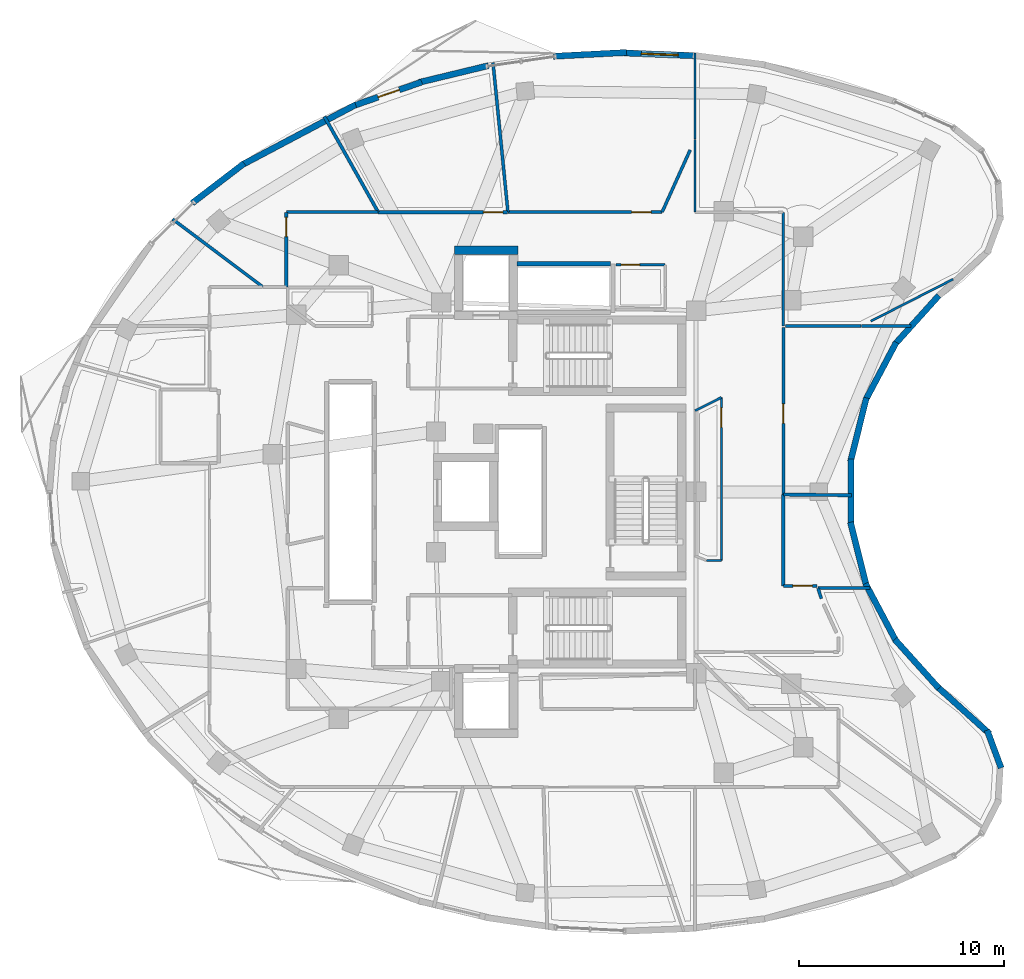
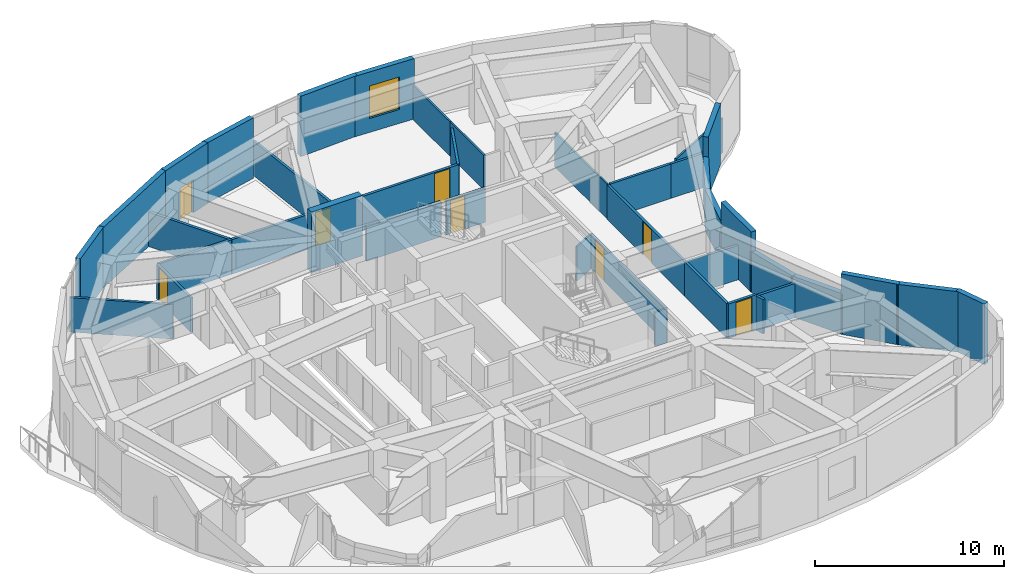
# One storey, part 9 of 13: 41 walls, 8 doors, 1 window, 9 openings.
"""IFC4 building model written with IfcOpenShell, lengths in metres."""

from ifc_helpers import new_model, si_unit, direction, frame, frame_2d, origin, place, context, subcontext, project, spatial, rectangle, extrude, material, layer, layer_set, type_object, element, fill, save


model = new_model("IFC4")

# Units and contexts
model_context = context("Model", 3, precision=1e-05, world=origin(), true_north=direction((0.0, 1.0)))
body_context = subcontext(model_context, "Body", "Model", "MODEL_VIEW")
ifc_project = project(units=[si_unit("LENGTHUNIT", "METRE"), si_unit("AREAUNIT", "SQUARE_METRE"), si_unit("VOLUMEUNIT", "CUBIC_METRE"), si_unit("PLANEANGLEUNIT", "RADIAN"), si_unit("MASSUNIT", "GRAM", prefix="KILO")], contexts=[model_context])

# Site, building, storey
site_placement = place(None, origin())
site = spatial("IfcSite", under=ifc_project, at=site_placement, CompositionType="ELEMENT")
building_placement = place(site_placement, origin())
building = spatial("IfcBuilding", under=site, at=building_placement, Name="Korentha Bioscience Tower", CompositionType="ELEMENT")
storey_placement = place(building_placement, frame((0.0, 0.0, 256.199951171875)))
storey = spatial("IfcBuildingStorey", under=building, at=storey_placement, Name="L59", CompositionType="ELEMENT", Elevation=256.199951171875)

# Wall, opening, door
ifc_material_1 = material(Name="Double-Stud Acoustic Gypsum", Category="gypsum")
ifc_layer_1 = layer(ifc_material_1, 0.14990234375, Name="Double-Stud Acoustic Gypsum")
ifc_layer_set_1 = layer_set([ifc_layer_1], Name="Double-Stud Acoustic Gypsum (IW-L150)")
wall_type_1 = type_object("IfcWallType", Name="Acoustic Laboratory Partition Wall 150", PredefinedType="PARTITIONING", material=ifc_layer_set_1)
wall_1_placement = place(storey_placement, frame((41.81005859375, 26.88134765625, 0.0), z_axis=(0.0, 0.0, 1.0), x_axis=(0.0, 1.0, 0.0)))
wall_1 = element("IfcWall", 1, at=wall_1_placement, inside=storey, type_object=wall_type_1, Name="L59 Senior Scientist Corner Office 16 Entrance Wall", PredefinedType="PARTITIONING", context=body_context, shape_type="SweptSolid", body=[
    extrude(rectangle(XDim=8.1455078125, YDim=0.14990234375, at=frame_2d((4.07275390625, 0.0))), origin(), (0.0, 0.0, 1.0), 2.219970703125),
])
opening_1_placement = place(wall_1_placement, frame((3.470458984375, 0.0, 0.0)))
opening_1 = element("IfcOpeningElement", 2, at=opening_1_placement, cuts=wall_1, Name="Opening ID-10L", PredefinedType="OPENING", context=body_context, shape_type="SweptSolid", body=[
    extrude(rectangle(XDim=0.949951171875, YDim=2.14990234375, at=frame_2d((0.47509765625, 1.074951171875))), frame((0.0, 0.08984375, 0.0), z_axis=(0.0, -1.0, 0.0), x_axis=(1.0, 0.0, 0.0)), (0.0, 0.0, 1.0), 0.1796875),
])
ifc_material_2 = material(Name="Phenolic Laminate Timber Core", Category="wood")
door_type_1 = type_object("IfcDoorType", Name="Laboratory Single Leaf Door 950x2150 Left", OperationType="SINGLE_SWING_LEFT", PredefinedType="DOOR", material=ifc_material_2)
door_1_placement = place(opening_1_placement, origin())
door_1 = element("IfcDoor", 3, at=door_1_placement, inside=storey, type_object=door_type_1, Name="L59 Senior Scientist Corner Office 16 Door", OperationType="SINGLE_SWING_LEFT", OverallHeight=2.14990234375, OverallWidth=0.949951171875, PredefinedType="DOOR", context=body_context, shape_type="SweptSolid", body=[
    extrude(rectangle(XDim=0.949951171875, YDim=2.14990234375, at=frame_2d((0.47509765625, 1.074951171875))), frame((0.0, 0.02490234375, 0.0), z_axis=(0.0, -1.0, 0.0), x_axis=(1.0, 0.0, 0.0)), (0.0, 0.0, 1.0), 0.050048828125),
])
fill(opening_1, door_1)

wall_2_placement = place(storey_placement, frame((35.890625, 40.659912109375, 0.0), z_axis=(0.0, 0.0, 1.0), x_axis=(-1.0, 0.0, 0.0)))
wall_2 = element("IfcWall", 4, at=wall_2_placement, inside=storey, type_object=wall_type_1, Name="L59 Daylight Break and Coffee Bar 18 Entrance Wall", PredefinedType="PARTITIONING", context=body_context, shape_type="SweptSolid", body=[
    extrude(rectangle(XDim=7.52685546875, YDim=0.14990234375, at=frame_2d((3.763427734375, 0.0))), origin(), (0.0, 0.0, 1.0), 2.219970703125),
])
opening_2_placement = place(wall_2_placement, frame((0.54052734375, 0.0, 0.0)))
opening_2 = element("IfcOpeningElement", 5, at=opening_2_placement, cuts=wall_2, Name="Opening ID-10L", PredefinedType="OPENING", context=body_context, shape_type="SweptSolid", body=[
    extrude(rectangle(XDim=0.949951171875, YDim=2.14990234375, at=frame_2d((0.47509765625, 1.074951171875))), frame((0.0, 0.08984375, 0.0), z_axis=(0.0, -1.0, 0.0), x_axis=(1.0, 0.0, 0.0)), (0.0, 0.0, 1.0), 0.1796875),
])
door_2_placement = place(opening_2_placement, origin())
door_2 = element("IfcDoor", 6, at=door_2_placement, inside=storey, type_object=door_type_1, Name="L59 Daylight Break and Coffee Bar 18 Door", OperationType="SINGLE_SWING_LEFT", OverallHeight=2.14990234375, OverallWidth=0.949951171875, PredefinedType="DOOR", context=body_context, shape_type="SweptSolid", body=[
    extrude(rectangle(XDim=0.949951171875, YDim=2.14990234375, at=frame_2d((0.47509765625, 1.074951171875))), frame((0.0, 0.02490234375, 0.0), z_axis=(0.0, -1.0, 0.0), x_axis=(1.0, 0.0, 0.0)), (0.0, 0.0, 1.0), 0.050048828125),
])
fill(opening_2, door_2)

wall_3_placement = place(storey_placement, frame((17.5400390625, 40.64990234375, 0.0), z_axis=(0.0, 0.0, 1.0), x_axis=(0.0, -1.0, 0.0)))
wall_3 = element("IfcWall", 7, at=wall_3_placement, inside=storey, type_object=wall_type_1, Name="L59 Immunology Flow-Cytometry Laboratory 20 Entrance Wall", PredefinedType="PARTITIONING", context=body_context, shape_type="SweptSolid", body=[
    extrude(rectangle(XDim=3.639892578125, YDim=0.14990234375, at=frame_2d((1.81982421875, 0.0))), origin(), (0.0, 0.0, 1.0), 2.219970703125),
])
opening_3_placement = place(wall_3_placement, frame((0.239990234375, 0.0, 0.0)))
opening_3 = element("IfcOpeningElement", 8, at=opening_3_placement, cuts=wall_3, Name="Opening ID-10L", PredefinedType="OPENING", context=body_context, shape_type="SweptSolid", body=[
    extrude(rectangle(XDim=0.949951171875, YDim=2.14990234375, at=frame_2d((0.47509765625, 1.074951171875))), frame((0.0, 0.08984375, 0.0), z_axis=(0.0, -1.0, 0.0), x_axis=(1.0, 0.0, 0.0)), (0.0, 0.0, 1.0), 0.1796875),
])
door_3_placement = place(opening_3_placement, origin())
door_3 = element("IfcDoor", 9, at=door_3_placement, inside=storey, type_object=door_type_1, Name="L59 Immunology Flow-Cytometry Laboratory 20 Door", OperationType="SINGLE_SWING_LEFT", OverallHeight=2.14990234375, OverallWidth=0.949951171875, PredefinedType="DOOR", context=body_context, shape_type="SweptSolid", body=[
    extrude(rectangle(XDim=0.949951171875, YDim=2.14990234375, at=frame_2d((0.47509765625, 1.074951171875))), frame((0.0, 0.02490234375, 0.0), z_axis=(0.0, -1.0, 0.0), x_axis=(1.0, 0.0, 0.0)), (0.0, 0.0, 1.0), 0.050048828125),
])
fill(opening_3, door_3)

# Walls
wall_4_placement = place(storey_placement, frame((43.66650390625, 21.7900390625, 0.0), z_axis=(0.0, 0.0, 1.0), x_axis=(-0.300648780423, 0.953734926922, 0.0)))
element("IfcWall", 10, at=wall_4_placement, inside=storey, type_object=wall_type_1, Name="L59 Interior Partition 067", PredefinedType="PARTITIONING", context=body_context, shape_type="SweptSolid", body=[
    extrude(rectangle(XDim=0.53271484375, YDim=0.14990234375, at=frame_2d((0.266357421875, 0.0))), origin(), (0.0, 0.0, 1.0), 2.219970703125),
])
wall_5_placement = place(storey_placement, frame((43.50634765625, 22.298095703125, 0.0), z_axis=(0.0, 0.0, 1.0), x_axis=(1.0, 0.0, 0.0)))
element("IfcWall", 11, at=wall_5_placement, inside=storey, type_object=wall_type_1, Name="L59 Interior Partition 068", PredefinedType="PARTITIONING", context=body_context, shape_type="SweptSolid", body=[
    extrude(rectangle(XDim=2.5302734375, YDim=0.14990234375, at=frame_2d((1.26513671875, 0.0))), origin(), (0.0, 0.0, 1.0), 2.219970703125),
])
wall_6_placement = place(storey_placement, frame((41.917236328125, 35.097900390625, 0.0), z_axis=(0.0, 0.0, 1.0), x_axis=(1.0, 0.0, 0.0)))
element("IfcWall", 12, at=wall_6_placement, inside=storey, type_object=wall_type_1, Name="L59 Interior Partition 076", PredefinedType="PARTITIONING", context=body_context, shape_type="SweptSolid", body=[
    extrude(rectangle(XDim=3.696533203125, YDim=0.14990234375, at=frame_2d((1.84814453125, 0.0))), origin(), (0.0, 0.0, 1.0), 2.219970703125),
])
wall_7_placement = place(storey_placement, frame((45.622802734375, 35.097900390625, 0.0), z_axis=(0.0, 0.0, 1.0), x_axis=(1.0, 0.0, 0.0)))
element("IfcWall", 13, at=wall_7_placement, inside=storey, type_object=wall_type_1, Name="L59 Interior Partition 077", PredefinedType="PARTITIONING", context=body_context, shape_type="SweptSolid", body=[
    extrude(rectangle(XDim=2.429443359375, YDim=0.14990234375, at=frame_2d((1.21484375, 0.0))), origin(), (0.0, 0.0, 1.0), 2.219970703125),
])
wall_8_placement = place(storey_placement, frame((37.261962890625, 43.697265625, 0.0), z_axis=(0.0, 0.0, 1.0), x_axis=(-0.411494466198, -0.91141225814, 0.0)))
element("IfcWall", 14, at=wall_8_placement, inside=storey, type_object=wall_type_1, Name="L59 Interior Partition 082", PredefinedType="PARTITIONING", context=body_context, shape_type="SweptSolid", body=[
    extrude(rectangle(XDim=3.33251953125, YDim=0.14990234375, at=frame_2d((1.666259765625, 0.0))), origin(), (0.0, 0.0, 1.0), 2.219970703125),
])
wall_9_placement = place(storey_placement, frame((28.36376953125, 40.659912109375, 0.0), z_axis=(0.0, 0.0, 1.0), x_axis=(-0.09933896822, 0.995053651515, 0.0)))
element("IfcWall", 15, at=wall_9_placement, inside=storey, type_object=wall_type_1, Name="L59 Interior Partition 083", PredefinedType="PARTITIONING", context=body_context, shape_type="SweptSolid", body=[
    extrude(rectangle(XDim=7.336181640625, YDim=0.14990234375, at=frame_2d((3.66796875, 0.0))), origin(), (0.0, 0.0, 1.0), 2.219970703125),
])
wall_10_placement = place(storey_placement, frame((22.018798828125, 40.659912109375, 0.0), z_axis=(0.0, 0.0, 1.0), x_axis=(-1.0, 0.0, 0.0)))
element("IfcWall", 16, at=wall_10_placement, inside=storey, type_object=wall_type_1, Name="L59 Interior Partition 085", PredefinedType="PARTITIONING", context=body_context, shape_type="SweptSolid", body=[
    extrude(rectangle(XDim=4.46875, YDim=0.14990234375, at=frame_2d((2.234375, 0.0))), origin(), (0.0, 0.0, 1.0), 2.219970703125),
])
wall_11_placement = place(storey_placement, frame((16.396484375, 37.010009765625, 0.0), z_axis=(0.0, 0.0, 1.0), x_axis=(-0.799686236125, 0.600418124104, 0.0)))
element("IfcWall", 17, at=wall_11_placement, inside=storey, type_object=wall_type_1, Name="L59 Interior Partition 087", PredefinedType="PARTITIONING", context=body_context, shape_type="SweptSolid", body=[
    extrude(rectangle(XDim=5.510986328125, YDim=0.14990234375, at=frame_2d((2.75537109375, 0.0))), origin(), (0.0, 0.0, 1.0), 2.219970703125),
])

# Wall, opening, door
ifc_material_3 = material(Name="Fire-Rated Framed Glass", Category="glass")
ifc_layer_2 = layer(ifc_material_3, 0.110107421875, Name="Fire-Rated Framed Glass")
ifc_layer_set_2 = layer_set([ifc_layer_2], Name="Fire-Rated Framed Glass (IW-G110)")
wall_type_2 = type_object("IfcWallType", Name="Demountable Glazed Office Partition 110", PredefinedType="MOVABLE", material=ifc_layer_set_2)
wall_12_placement = place(storey_placement, frame((38.7900390625, 31.61669921875, 0.0), z_axis=(0.0, 0.0, 1.0), x_axis=(0.0, -1.0, 0.0)))
wall_12 = element("IfcWall", 18, at=wall_12_placement, inside=storey, type_object=wall_type_2, Name="L59 Epidemiology Modelling Studio 15 Entrance Wall", PredefinedType="MOVABLE", context=body_context, shape_type="SweptSolid", body=[
    extrude(rectangle(XDim=7.964599609375, YDim=0.110107421875, at=frame_2d((3.982421875, 0.0))), origin(), (0.0, 0.0, 1.0), 2.219970703125),
])
opening_4_placement = place(wall_12_placement, frame((0.51708984375, 0.0, 0.0)))
opening_4 = element("IfcOpeningElement", 19, at=opening_4_placement, cuts=wall_12, Name="Opening ID-10R", PredefinedType="OPENING", context=body_context, shape_type="SweptSolid", body=[
    extrude(rectangle(XDim=0.949951171875, YDim=2.14990234375, at=frame_2d((0.47509765625, 1.074951171875))), frame((0.0, 0.06982421875, 0.0), z_axis=(0.0, -1.0, 0.0), x_axis=(1.0, 0.0, 0.0)), (0.0, 0.0, 1.0), 0.139892578125),
])
door_type_2 = type_object("IfcDoorType", Name="Laboratory Single Leaf Door 950x2150 Right", OperationType="SINGLE_SWING_RIGHT", PredefinedType="DOOR", material=ifc_material_2)
door_4_placement = place(opening_4_placement, origin())
door_4 = element("IfcDoor", 20, at=door_4_placement, inside=storey, type_object=door_type_2, Name="L59 Epidemiology Modelling Studio 15 Door", OperationType="SINGLE_SWING_RIGHT", OverallHeight=2.14990234375, OverallWidth=0.949951171875, PredefinedType="DOOR", context=body_context, shape_type="SweptSolid", body=[
    extrude(rectangle(XDim=0.949951171875, YDim=2.14990234375, at=frame_2d((0.47509765625, 1.074951171875))), frame((0.0, 0.02490234375, 0.0), z_axis=(0.0, -1.0, 0.0), x_axis=(1.0, 0.0, 0.0)), (0.0, 0.0, 1.0), 0.050048828125),
])
fill(opening_4, door_4)

# Walls
wall_13_placement = place(storey_placement, frame((37.502197265625, 30.960205078125, 0.0), z_axis=(0.0, 0.0, 1.0), x_axis=(0.890920886731, 0.454158533539, 0.0)))
element("IfcWall", 21, at=wall_13_placement, inside=storey, type_object=wall_type_2, Name="L59 Interior Partition 072", PredefinedType="MOVABLE", context=body_context, shape_type="SweptSolid", body=[
    extrude(rectangle(XDim=1.445556640625, YDim=0.110107421875, at=frame_2d((0.72265625, 0.0))), origin(), (0.0, 0.0, 1.0), 2.219970703125),
])
wall_14_placement = place(storey_placement, frame((38.7900390625, 23.652099609375, 0.0), z_axis=(0.0, 0.0, 1.0), x_axis=(-1.0, 0.0, 0.0)))
element("IfcWall", 22, at=wall_14_placement, inside=storey, type_object=wall_type_2, Name="L59 Interior Partition 073", PredefinedType="MOVABLE", context=body_context, shape_type="SweptSolid", body=[
    extrude(rectangle(XDim=0.73095703125, YDim=0.110107421875, at=frame_2d((0.365478515625, 0.0))), origin(), (0.0, 0.0, 1.0), 2.219970703125),
])
wall_15_placement = place(storey_placement, frame((37.501953125, 44.22900390625, 0.0), z_axis=(0.0, 0.0, 1.0), x_axis=(0.0, 1.0, 0.0)))
element("IfcWall", 23, at=wall_15_placement, inside=storey, type_object=wall_type_2, Name="L59 Interior Partition 078", PredefinedType="MOVABLE", context=body_context, shape_type="SweptSolid", body=[
    extrude(rectangle(XDim=4.204345703125, YDim=0.110107421875, at=frame_2d((2.10205078125, 0.0))), origin(), (0.0, 0.0, 1.0), 2.219970703125),
])
wall_16_placement = place(storey_placement, frame((50.10009765625, 37.3837890625, 0.0), z_axis=(0.0, 0.0, 1.0), x_axis=(-0.890998975223, -0.454005315114, 0.0)))
element("IfcWall", 24, at=wall_16_placement, inside=storey, type_object=wall_type_2, Name="L59 Interior Partition 079", PredefinedType="MOVABLE", context=body_context, shape_type="SweptSolid", body=[
    extrude(rectangle(XDim=4.50634765625, YDim=0.110107421875, at=frame_2d((2.253173828125, 0.0))), origin(), (0.0, 0.0, 1.0), 2.219970703125),
])
wall_17_placement = place(storey_placement, frame((41.81005859375, 35.10205078125, 0.0), z_axis=(0.0, 0.0, 1.0), x_axis=(0.0, 1.0, 0.0)))
element("IfcWall", 25, at=wall_17_placement, inside=storey, type_object=wall_type_2, Name="L59 Interior Partition 080", PredefinedType="MOVABLE", context=body_context, shape_type="SweptSolid", body=[
    extrude(rectangle(XDim=5.5478515625, YDim=0.110107421875, at=frame_2d((2.77392578125, 0.0))), origin(), (0.0, 0.0, 1.0), 2.219970703125),
])
wall_18_placement = place(storey_placement, frame((37.501953125, 40.659912109375, 0.0), z_axis=(0.0, 0.0, 1.0), x_axis=(0.0, 1.0, 0.0)))
element("IfcWall", 26, at=wall_18_placement, inside=storey, type_object=wall_type_2, Name="L59 Interior Partition 081", PredefinedType="MOVABLE", context=body_context, shape_type="SweptSolid", body=[
    extrude(rectangle(XDim=3.55908203125, YDim=0.110107421875, at=frame_2d((1.779541015625, 0.0))), origin(), (0.0, 0.0, 1.0), 2.219970703125),
])

# Wall, opening, door
ifc_material_4 = material(Name="Gypsum-Clad Steel Stud", Category="steel")
ifc_layer_3 = layer(ifc_material_4, 0.159912109375, Name="Gypsum-Clad Steel Stud")
ifc_layer_set_3 = layer_set([ifc_layer_3], Name="Gypsum-Clad Steel Stud (IW-C160)")
wall_type_3 = type_object("IfcWallType", Name="Fire-Rated Corridor Partition Wall 160", PredefinedType="PARTITIONING", material=ifc_layer_set_3)
wall_19_placement = place(storey_placement, frame((43.463623046875, 22.409912109375, 0.0), z_axis=(0.0, 0.0, 1.0), x_axis=(-1.0, 0.0, 0.0)))
wall_19 = element("IfcWall", 27, at=wall_19_placement, inside=storey, type_object=wall_type_3, Name="L59 Cold-Chain Stability Chamber 14 Entrance Wall", PredefinedType="PARTITIONING", context=body_context, shape_type="SweptSolid", body=[
    extrude(rectangle(XDim=1.653564453125, YDim=0.159912109375, at=frame_2d((0.82666015625, 0.0))), origin(), (0.0, 0.0, 1.0), 2.219970703125),
])
opening_5_placement = place(wall_19_placement, frame((0.239990234375, 0.0, 0.0)))
opening_5 = element("IfcOpeningElement", 28, at=opening_5_placement, cuts=wall_19, Name="Opening ID-10L", PredefinedType="OPENING", context=body_context, shape_type="SweptSolid", body=[
    extrude(rectangle(XDim=0.949951171875, YDim=2.14990234375, at=frame_2d((0.47509765625, 1.074951171875))), frame((0.0, 0.0947265625, 0.0), z_axis=(0.0, -1.0, 0.0), x_axis=(1.0, 0.0, 0.0)), (0.0, 0.0, 1.0), 0.189697265625),
])
door_5_placement = place(opening_5_placement, origin())
door_5 = element("IfcDoor", 29, at=door_5_placement, inside=storey, type_object=door_type_1, Name="L59 Cold-Chain Stability Chamber 14 Door", OperationType="SINGLE_SWING_LEFT", OverallHeight=2.14990234375, OverallWidth=0.949951171875, PredefinedType="DOOR", context=body_context, shape_type="SweptSolid", body=[
    extrude(rectangle(XDim=0.949951171875, YDim=2.14990234375, at=frame_2d((0.47509765625, 1.074951171875))), frame((0.0, 0.02490234375, 0.0), z_axis=(0.0, -1.0, 0.0), x_axis=(1.0, 0.0, 0.0)), (0.0, 0.0, 1.0), 0.050048828125),
])
fill(opening_5, door_5)

wall_20_placement = place(storey_placement, frame((28.353515625, 40.659912109375, 0.0), z_axis=(0.0, 0.0, 1.0), x_axis=(-1.0, 0.0, 0.0)))
wall_20 = element("IfcWall", 30, at=wall_20_placement, inside=storey, type_object=wall_type_3, Name="L59 Reference Archive Vault 19 Entrance Wall", PredefinedType="PARTITIONING", context=body_context, shape_type="SweptSolid", body=[
    extrude(rectangle(XDim=6.322998046875, YDim=0.159912109375, at=frame_2d((3.16162109375, 0.0))), origin(), (0.0, 0.0, 1.0), 2.219970703125),
])
opening_6_placement = place(wall_20_placement, frame((0.239990234375, 0.0, 0.0)))
opening_6 = element("IfcOpeningElement", 31, at=opening_6_placement, cuts=wall_20, Name="Opening ID-10R", PredefinedType="OPENING", context=body_context, shape_type="SweptSolid", body=[
    extrude(rectangle(XDim=0.949951171875, YDim=2.14990234375, at=frame_2d((0.47509765625, 1.074951171875))), frame((0.0, 0.0947265625, 0.0), z_axis=(0.0, -1.0, 0.0), x_axis=(1.0, 0.0, 0.0)), (0.0, 0.0, 1.0), 0.189697265625),
])
door_6_placement = place(opening_6_placement, origin())
door_6 = element("IfcDoor", 32, at=door_6_placement, inside=storey, type_object=door_type_2, Name="L59 Reference Archive Vault 19 Door", OperationType="SINGLE_SWING_RIGHT", OverallHeight=2.14990234375, OverallWidth=0.949951171875, PredefinedType="DOOR", context=body_context, shape_type="SweptSolid", body=[
    extrude(rectangle(XDim=0.949951171875, YDim=2.14990234375, at=frame_2d((0.47509765625, 1.074951171875))), frame((0.0, 0.02490234375, 0.0), z_axis=(0.0, -1.0, 0.0), x_axis=(1.0, 0.0, 0.0)), (0.0, 0.0, 1.0), 0.050048828125),
])
fill(opening_6, door_6)

# Walls
wall_21_placement = place(storey_placement, frame((41.81005859375, 22.409912109375, 0.0), z_axis=(0.0, 0.0, 1.0), x_axis=(0.0, 1.0, 0.0)))
element("IfcWall", 33, at=wall_21_placement, inside=storey, type_object=wall_type_3, Name="L59 Interior Partition 069", PredefinedType="PARTITIONING", context=body_context, shape_type="SweptSolid", body=[
    extrude(rectangle(XDim=4.46142578125, YDim=0.159912109375, at=frame_2d((2.230712890625, 0.0))), origin(), (0.0, 0.0, 1.0), 2.219970703125),
])
wall_22_placement = place(storey_placement, frame((41.81005859375, 26.871337890625, 0.0), z_axis=(0.0, 0.0, 1.0), x_axis=(0.999945909762, -0.010400843773, 0.0)))
element("IfcWall", 34, at=wall_22_placement, inside=storey, type_object=wall_type_3, Name="L59 Interior Partition 070", PredefinedType="PARTITIONING", context=body_context, shape_type="SweptSolid", body=[
    extrude(rectangle(XDim=3.333251953125, YDim=0.159912109375, at=frame_2d((1.66650390625, 0.0))), origin(), (0.0, 0.0, 1.0), 2.219970703125),
])
wall_23_placement = place(storey_placement, frame((22.030517578125, 40.659912109375, 0.0), z_axis=(0.0, 0.0, 1.0), x_axis=(-0.490903118402, 0.871214169044, 0.0)))
element("IfcWall", 35, at=wall_23_placement, inside=storey, type_object=wall_type_3, Name="L59 Interior Partition 084", PredefinedType="PARTITIONING", context=body_context, shape_type="SweptSolid", body=[
    extrude(rectangle(XDim=5.3623046875, YDim=0.159912109375, at=frame_2d((2.68115234375, 0.0))), origin(), (0.0, 0.0, 1.0), 2.219970703125),
])

# Wall, opening, window
ifc_material_5 = material(Name="Honed Limestone Precast Concrete C40", Category="masonry")
ifc_layer_4 = layer(ifc_material_5, 0.300048828125, Name="Honed Limestone Precast Concrete C40")
ifc_layer_set_4 = layer_set([ifc_layer_4], Name="Honed Limestone Precast Concrete C40 (EW-ST300)")
wall_type_4 = type_object("IfcWallType", Name="Honed Limestone Cavity Spandrel Wall 300", PredefinedType="STANDARD", material=ifc_layer_set_4)
wall_24_placement = place(storey_placement, frame((37.5419921875, 48.29541015625, 0.0), z_axis=(0.0, 0.0, 1.0), x_axis=(-0.999212491376, 0.039678672827, 0.0)))
wall_24 = element("IfcWall", 36, at=wall_24_placement, inside=storey, type_object=wall_type_4, Name="L59 Honed Limestone Spandrel Wall 05", PredefinedType="STANDARD", context=body_context, shape_type="SweptSolid", body=[
    extrude(rectangle(XDim=3.537841796875, YDim=0.300048828125, at=frame_2d((1.76904296875, 0.0))), origin(), (0.0, 0.0, 1.0), 3.900146484375),
])
opening_7_placement = place(wall_24_placement, frame((0.868896484375, 0.0, 0.89990234375)))
opening_7 = element("IfcOpeningElement", 37, at=opening_7_placement, cuts=wall_24, Name="Opening WN-01", PredefinedType="OPENING", context=body_context, shape_type="SweptSolid", body=[
    extrude(rectangle(XDim=1.800048828125, YDim=2.10009765625, at=frame_2d((0.89990234375, 1.050048828125))), frame((0.0, 0.1650390625, 0.0), z_axis=(0.0, -1.0, 0.0), x_axis=(1.0, 0.0, 0.0)), (0.0, 0.0, 1.0), 0.329833984375),
])
ifc_material_6 = material(Name="Thermally Broken Aluminium Triple Glazing", Category="aluminium")
window_type = type_object("IfcWindowType", Name="Triple-Glazed Fixed Bioscience Window 1800x2100", PartitioningType="SINGLE_PANEL", PredefinedType="WINDOW", material=ifc_material_6)
window_placement = place(opening_7_placement, origin())
window = element("IfcWindow", 38, at=window_placement, inside=storey, type_object=window_type, Name="L59 Facade Window 05", OverallHeight=2.10009765625, OverallWidth=1.800048828125, PartitioningType="SINGLE_PANEL", PredefinedType="WINDOW", context=body_context, shape_type="SweptSolid", body=[
    extrude(rectangle(XDim=1.800048828125, YDim=2.10009765625, at=frame_2d((0.89990234375, 1.050048828125))), frame((0.0, 0.030029296875, 0.0), z_axis=(0.0, -1.0, 0.0), x_axis=(1.0, 0.0, 0.0)), (0.0, 0.0, 1.0), 0.06005859375),
])
fill(opening_7, window)

# Wall, opening, door
wall_25_placement = place(storey_placement, frame((24.152099609375, 47.01318359375, 0.0), z_axis=(0.0, 0.0, 1.0), x_axis=(-0.944837969822, -0.327538105849, 0.0)))
wall_25 = element("IfcWall", 39, at=wall_25_placement, inside=storey, type_object=wall_type_4, Name="L59 Balcony Threshold Wall 01", PredefinedType="STANDARD", context=body_context, shape_type="SweptSolid", body=[
    extrude(rectangle(XDim=3.412353515625, YDim=0.300048828125, at=frame_2d((1.7060546875, 0.0))), origin(), (0.0, 0.0, 1.0), 3.900146484375),
])
opening_8_placement = place(wall_25_placement, frame((1.156005859375, 0.0, 0.0)))
opening_8 = element("IfcOpeningElement", 40, at=opening_8_placement, cuts=wall_25, Name="Opening BD-11L", PredefinedType="OPENING", context=body_context, shape_type="SweptSolid", body=[
    extrude(rectangle(XDim=1.10009765625, YDim=2.14990234375, at=frame_2d((0.550048828125, 1.074951171875))), frame((0.0, 0.1650390625, 0.0), z_axis=(0.0, -1.0, 0.0), x_axis=(1.0, 0.0, 0.0)), (0.0, 0.0, 1.0), 0.329833984375),
])
ifc_material_7 = material(Name="Thermally Broken Glazed Aluminium", Category="aluminium")
door_type_3 = type_object("IfcDoorType", Name="Balcony Terrace Glazed Door 1100x2150 Left", OperationType="SINGLE_SWING_LEFT", PredefinedType="DOOR", material=ifc_material_7)
door_7_placement = place(opening_8_placement, origin())
door_7 = element("IfcDoor", 41, at=door_7_placement, inside=storey, type_object=door_type_3, Name="L59 Balcony Access Door 01", OperationType="SINGLE_SWING_LEFT", OverallHeight=2.14990234375, OverallWidth=1.10009765625, PredefinedType="DOOR", context=body_context, shape_type="SweptSolid", body=[
    extrude(rectangle(XDim=1.10009765625, YDim=2.14990234375, at=frame_2d((0.550048828125, 1.074951171875))), frame((0.0, 0.02490234375, 0.0), z_axis=(0.0, -1.0, 0.0), x_axis=(1.0, 0.0, 0.0)), (0.0, 0.0, 1.0), 0.050048828125),
])
fill(opening_8, door_7)

# Walls
wall_26_placement = place(storey_placement, frame((34.160400390625, 48.457763671875, 0.0), z_axis=(0.0, 0.0, 1.0), x_axis=(-0.998671230657, -0.051534193093, 0.0)))
element("IfcWall", 42, at=wall_26_placement, inside=storey, type_object=wall_type_4, Name="L59 Limestone Perimeter Closure Wall 06", PredefinedType="STANDARD", context=body_context, shape_type="SweptSolid", body=[
    extrude(rectangle(XDim=3.57666015625, YDim=0.300048828125, at=frame_2d((1.788330078125, 0.0))), origin(), (0.0, 0.0, 1.0), 3.900146484375),
])
wall_27_placement = place(storey_placement, frame((27.412109375, 47.814697265625, 0.0), z_axis=(0.0, 0.0, 1.0), x_axis=(-0.972025869784, -0.23487381393, 0.0)))
element("IfcWall", 43, at=wall_27_placement, inside=storey, type_object=wall_type_4, Name="L59 Limestone Perimeter Closure Wall 08", PredefinedType="STANDARD", context=body_context, shape_type="SweptSolid", body=[
    extrude(rectangle(XDim=3.51220703125, YDim=0.300048828125, at=frame_2d((1.756103515625, 0.0))), origin(), (0.0, 0.0, 1.0), 3.900146484375),
])
wall_28_placement = place(storey_placement, frame((21.068603515625, 45.97998046875, 0.0), z_axis=(0.0, 0.0, 1.0), x_axis=(-0.883907649271, -0.467661488216, 0.0)))
element("IfcWall", 44, at=wall_28_placement, inside=storey, type_object=wall_type_4, Name="L59 Limestone Perimeter Closure Wall 10", PredefinedType="STANDARD", context=body_context, shape_type="SweptSolid", body=[
    extrude(rectangle(XDim=6.495849609375, YDim=0.300048828125, at=frame_2d((3.248046875, 0.0))), origin(), (0.0, 0.0, 1.0), 3.900146484375),
])
wall_29_placement = place(storey_placement, frame((15.480712890625, 43.040771484375, 0.0), z_axis=(0.0, 0.0, 1.0), x_axis=(-0.794422949099, -0.60736494626, 0.0)))
element("IfcWall", 45, at=wall_29_placement, inside=storey, type_object=wall_type_4, Name="L59 Limestone Perimeter Closure Wall 12", PredefinedType="STANDARD", context=body_context, shape_type="SweptSolid", body=[
    extrude(rectangle(XDim=3.1923828125, YDim=0.300048828125, at=frame_2d((1.59619140625, 0.0))), origin(), (0.0, 0.0, 1.0), 3.900146484375),
])
wall_30_placement = place(storey_placement, frame((52.44580078125, 13.521728515625, 0.0), z_axis=(0.0, 0.0, 1.0), x_axis=(-0.347476023118, 0.9376888681, 0.0)))
element("IfcWall", 46, at=wall_30_placement, inside=storey, type_object=wall_type_4, Name="L59 Limestone Perimeter Closure Wall 40", PredefinedType="STANDARD", context=body_context, shape_type="SweptSolid", body=[
    extrude(rectangle(XDim=1.96728515625, YDim=0.300048828125, at=frame_2d((0.983642578125, 0.0))), origin(), (0.0, 0.0, 1.0), 3.900146484375),
])
wall_31_placement = place(storey_placement, frame((51.886962890625, 15.1826171875, 0.0), z_axis=(0.0, 0.0, 1.0), x_axis=(-0.742603888691, 0.669730889612, 0.0)))
element("IfcWall", 47, at=wall_31_placement, inside=storey, type_object=wall_type_4, Name="L59 Limestone Perimeter Closure Wall 41", PredefinedType="STANDARD", context=body_context, shape_type="SweptSolid", body=[
    extrude(rectangle(XDim=3.484130859375, YDim=0.300048828125, at=frame_2d((1.7421875, 0.0))), origin(), (0.0, 0.0, 1.0), 3.900146484375),
])
wall_32_placement = place(storey_placement, frame((49.40234375, 17.413330078125, 0.0), z_axis=(0.0, 0.0, 1.0), x_axis=(-0.669137170675, 0.743138914888, 0.0)))
element("IfcWall", 48, at=wall_32_placement, inside=storey, type_object=wall_type_4, Name="L59 Limestone Perimeter Closure Wall 43", PredefinedType="STANDARD", context=body_context, shape_type="SweptSolid", body=[
    extrude(rectangle(XDim=3.206787109375, YDim=0.300048828125, at=frame_2d((1.603515625, 0.0))), origin(), (0.0, 0.0, 1.0), 3.900146484375),
])
for number, where, z_axis, x_axis, name in (
    (49, (47.328125, 19.694091796875, 0.0), (0.0, 0.0, 1.0), (-0.469457656924, 0.882954986596, 0.0), "L59 Limestone Perimeter Closure Wall 45"),
    (50, (45.867431640625, 22.4091796875, 0.0), (0.0, 0.0, 1.0), (-0.241890637233, 0.970303519327, 0.0), "L59 Limestone Perimeter Closure Wall 47"),
):
    element("IfcWall", number, at=place(storey_placement, frame(where, z_axis=z_axis, x_axis=x_axis)), inside=storey, type_object=wall_type_4, Name=name, PredefinedType="STANDARD", context=body_context, shape_type="SweptSolid", body=[
        extrude(rectangle(XDim=3.20654296875, YDim=0.300048828125, at=frame_2d((1.603271484375, 0.0))), origin(), (0.0, 0.0, 1.0), 2.625),
    ])
wall_33_placement = place(storey_placement, frame((45.10693359375, 25.396728515625, 0.0), z_axis=(0.0, 0.0, 1.0), x_axis=(0.0, 1.0, 0.0)))
element("IfcWall", 51, at=wall_33_placement, inside=storey, type_object=wall_type_4, Name="L59 Limestone Perimeter Closure Wall 49", PredefinedType="STANDARD", context=body_context, shape_type="SweptSolid", body=[
    extrude(rectangle(XDim=3.20654296875, YDim=0.300048828125, at=frame_2d((1.603271484375, 0.0))), origin(), (0.0, 0.0, 1.0), 3.900146484375),
])
for number, where, z_axis, x_axis, name in (
    (52, (45.091796875, 28.4794921875, 0.0), (0.0, 0.0, 1.0), (0.241890637233, 0.970303519327, 0.0), "L59 Limestone Perimeter Closure Wall 51"),
    (53, (45.82275390625, 31.474609375, 0.0), (0.0, 0.0, 1.0), (0.469457656924, 0.882954986596, 0.0), "L59 Limestone Perimeter Closure Wall 53"),
):
    element("IfcWall", number, at=place(storey_placement, frame(where, z_axis=z_axis, x_axis=x_axis)), inside=storey, type_object=wall_type_4, Name=name, PredefinedType="STANDARD", context=body_context, shape_type="SweptSolid", body=[
        extrude(rectangle(XDim=3.20654296875, YDim=0.300048828125, at=frame_2d((1.603271484375, 0.0))), origin(), (0.0, 0.0, 1.0), 2.625),
    ])
wall_34_placement = place(storey_placement, frame((47.256591796875, 34.20361328125, 0.0), z_axis=(0.0, 0.0, 1.0), x_axis=(0.669137170675, 0.743138914888, 0.0)))
element("IfcWall", 54, at=wall_34_placement, inside=storey, type_object=wall_type_4, Name="L59 Limestone Perimeter Closure Wall 55", PredefinedType="STANDARD", context=body_context, shape_type="SweptSolid", body=[
    extrude(rectangle(XDim=3.206787109375, YDim=0.300048828125, at=frame_2d((1.603515625, 0.0))), origin(), (0.0, 0.0, 1.0), 3.900146484375),
])
ifc_material_8 = material(Name="Autoclaved Aerated Concrete Block C25", Category="concrete")
ifc_layer_5 = layer(ifc_material_8, 0.199951171875, Name="Autoclaved Aerated Concrete Block C25")
ifc_layer_set_5 = layer_set([ifc_layer_5], Name="Autoclaved Aerated Concrete Block C25 (IW-S200)")
wall_type_5 = type_object("IfcWallType", Name="Lift and Riser Shaft Enclosure Wall 200", PredefinedType="PARTITIONING", material=ifc_layer_set_5)
wall_35_placement = place(storey_placement, frame((28.800048828125, 38.139892578125, 0.0), z_axis=(0.0, 0.0, 1.0), x_axis=(1.0, 0.0, 0.0)))
element("IfcWall", 55, at=wall_35_placement, inside=storey, type_object=wall_type_5, Name="L59 Lift Bank OBS Shaft Wall +Y", PredefinedType="PARTITIONING", context=body_context, shape_type="SweptSolid", body=[
    extrude(rectangle(XDim=4.570068359375, YDim=0.199951171875, at=frame_2d((2.28515625, 0.0))), origin(), (0.0, 0.0, 1.0), 2.219970703125),
])
ifc_material_9 = material(Name="Concrete C65", Category="concrete")
ifc_layer_6 = layer(ifc_material_9, 0.39990234375, Name="Concrete C65")
ifc_layer_set_6 = layer_set([ifc_layer_6], Name="Concrete C65 (CW-C65)")
wall_type_6 = type_object("IfcWallType", Name="Mid-Rise Core Shear Wall 400", PredefinedType="SHEAR", material=ifc_layer_set_6)
wall_36_placement = place(storey_placement, frame((25.75, 38.800048828125, 0.0), z_axis=(0.0, 0.0, 1.0), x_axis=(1.0, 0.0, 0.0)))
element("IfcWall", 56, at=wall_36_placement, inside=storey, type_object=wall_type_6, Name="L59 Core Shear Wall FFL2-N", PredefinedType="SHEAR", context=body_context, shape_type="SweptSolid", body=[
    extrude(rectangle(XDim=3.10009765625, YDim=0.39990234375, at=frame_2d((1.550048828125, 0.0))), origin(), (0.0, 0.0, 1.0), 3.900146484375),
])

# Wall, opening, door
ifc_material_10 = material(Name="Cement-Board Steel Stud", Category="steel")
ifc_layer_7 = layer(ifc_material_10, 0.1298828125, Name="Cement-Board Steel Stud")
ifc_layer_set_7 = layer_set([ifc_layer_7], Name="Cement-Board Steel Stud (IW-W130)")
wall_type_7 = type_object("IfcWallType", Name="Wet-Area Moisture-Resistant Partition 130", PredefinedType="PARTITIONING", material=ifc_layer_set_7)
wall_37_placement = place(storey_placement, frame((33.64990234375, 38.090087890625, 0.0), z_axis=(0.0, 0.0, 1.0), x_axis=(1.0, 0.0, 0.0)))
wall_37 = element("IfcWall", 57, at=wall_37_placement, inside=storey, type_object=wall_type_7, Name="L59 Accessible Staff WC Entrance Wall", PredefinedType="PARTITIONING", context=body_context, shape_type="SweptSolid", body=[
    extrude(rectangle(XDim=2.39013671875, YDim=0.1298828125, at=frame_2d((1.195068359375, 0.0))), origin(), (0.0, 0.0, 1.0), 2.219970703125),
])
opening_9_placement = place(wall_37_placement, frame((0.239990234375, 0.0, 0.0)))
opening_9 = element("IfcOpeningElement", 58, at=opening_9_placement, cuts=wall_37, Name="Opening ID-09R", PredefinedType="OPENING", context=body_context, shape_type="SweptSolid", body=[
    extrude(rectangle(XDim=0.89990234375, YDim=2.14990234375, at=frame_2d((0.449951171875, 1.074951171875))), frame((0.0, 0.079833984375, 0.0), z_axis=(0.0, -1.0, 0.0), x_axis=(1.0, 0.0, 0.0)), (0.0, 0.0, 1.0), 0.15966796875),
])
ifc_material_11 = material(Name="Moisture-Resistant HPL Leaf", Category="wood")
door_type_4 = type_object("IfcDoorType", Name="Restroom & Accessible WC Door 900x2150 Right", OperationType="SINGLE_SWING_RIGHT", PredefinedType="DOOR", material=ifc_material_11)
door_8_placement = place(opening_9_placement, origin())
door_8 = element("IfcDoor", 59, at=door_8_placement, inside=storey, type_object=door_type_4, Name="L59 Accessible Staff WC Door", OperationType="SINGLE_SWING_RIGHT", OverallHeight=2.14990234375, OverallWidth=0.89990234375, PredefinedType="DOOR", context=body_context, shape_type="SweptSolid", body=[
    extrude(rectangle(XDim=0.89990234375, YDim=2.14990234375, at=frame_2d((0.449951171875, 1.074951171875))), frame((0.0, 0.02490234375, 0.0), z_axis=(0.0, -1.0, 0.0), x_axis=(1.0, 0.0, 0.0)), (0.0, 0.0, 1.0), 0.050048828125),
])
fill(opening_9, door_8)

save(model, "model.ifc")
